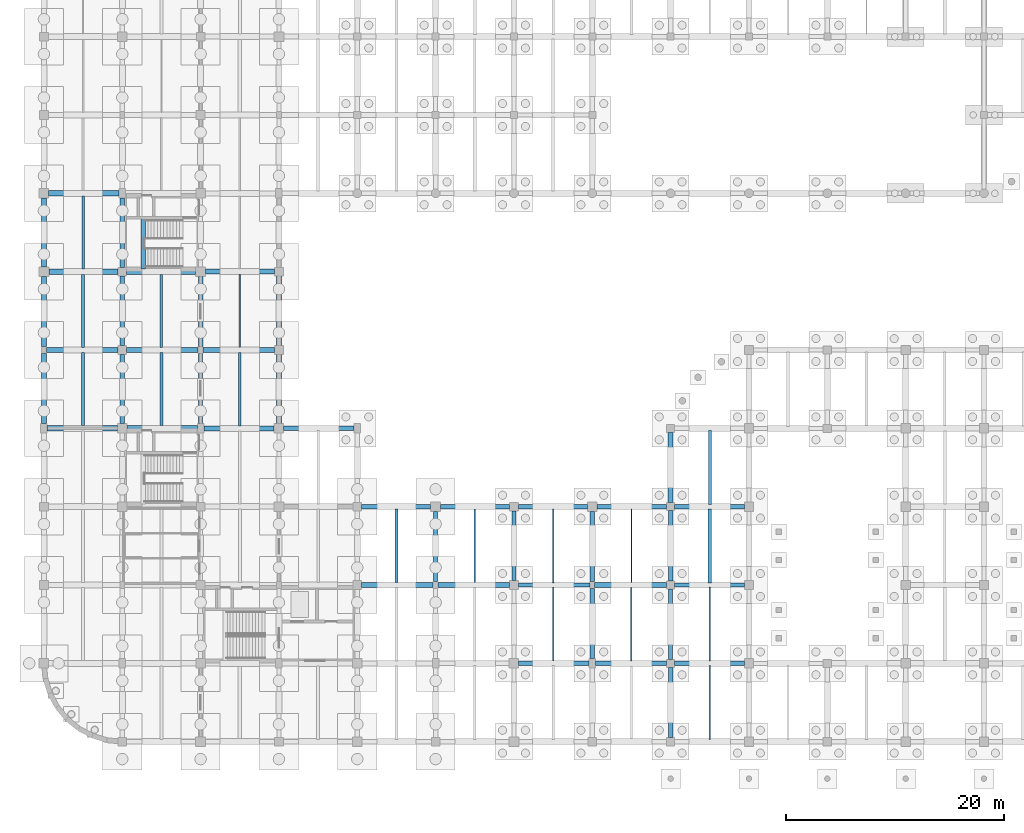
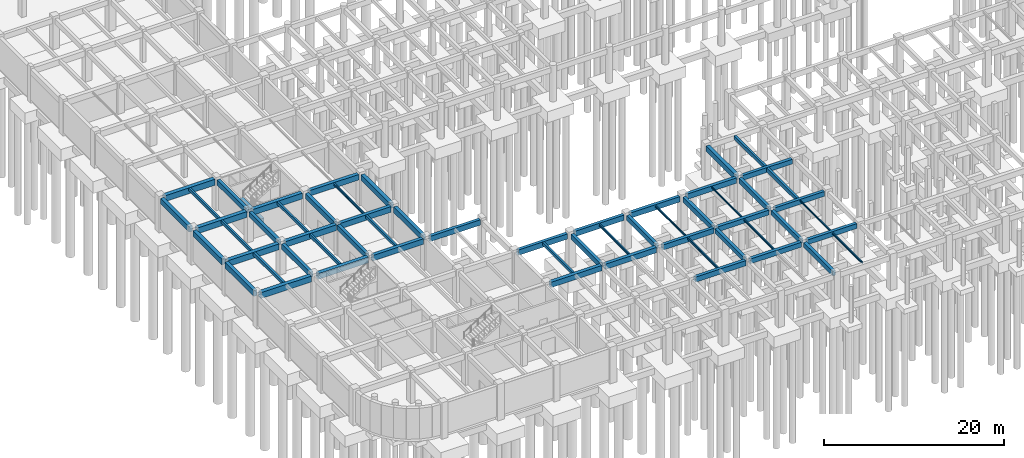
# One storey, part 25 of 47: 60 beams.
"""IFC4 building model written with IfcOpenShell, lengths in metres."""

from ifc_helpers import new_model, si_unit, direction, frame, origin, origin_2d, place, context, subcontext, project, spatial, rectangle, i_section, extrude, material, material_profile, profile_set, type_object, element, save


model = new_model("IFC4")

# Units and contexts
model_context = context("Model", 3, precision=1e-05, world=origin(), true_north=direction((0.0, 1.0)))
body_context = subcontext(model_context, "Body", "Model", "MODEL_VIEW")
ifc_project = project(units=[si_unit("LENGTHUNIT", "METRE"), si_unit("AREAUNIT", "SQUARE_METRE"), si_unit("VOLUMEUNIT", "CUBIC_METRE"), si_unit("PLANEANGLEUNIT", "RADIAN"), si_unit("MASSUNIT", "GRAM", prefix="KILO")], contexts=[model_context])

# Site, building, storey
site_placement = place(None, origin())
site = spatial("IfcSite", under=ifc_project, at=site_placement, CompositionType="ELEMENT")
building_placement = place(site_placement, origin())
building = spatial("IfcBuilding", under=site, at=building_placement, Name="Thalmaran Polytechnic", CompositionType="ELEMENT")
storey_placement = place(building_placement, frame((0.0, 0.0, -4.5)))
storey = spatial("IfcBuildingStorey", under=building, at=storey_placement, Name="B1", CompositionType="ELEMENT", Elevation=-4.5)

# Beams
ifc_material_1 = material(Name="Concrete C40/50", Category="concrete")
ifc_material_profile_1 = material_profile(ifc_material_1, rectangle(XDim=0.5, YDim=0.800048828125, at=origin_2d()), Name="RC 500x800")
ifc_profile_set_1 = profile_set([ifc_material_profile_1], Name="Concrete C40/50")
beam_type_1 = type_object("IfcBeamType", Name="BM-RC02", PredefinedType="BEAM", material=ifc_profile_set_1)
beam_1_placement = place(storey_placement, frame((0.300048828125, 28.800048828125, 3.77001953125), z_axis=(1.0, 0.0, 0.0), x_axis=(0.0, 1.0, 0.0)))
element("IfcBeam", 1, at=beam_1_placement, inside=storey, type_object=beam_type_1, Name="Grid Beam B02 B1 X(0,4)", PredefinedType="BEAM", context=body_context, shape_type="SweptSolid", body=[
    extrude(rectangle(XDim=0.5, YDim=0.800048828125, at=origin_2d()), origin(), (0.0, 0.0, 1.0), 6.4599609375),
])
beam_2_placement = place(storey_placement, frame((0.22509765625, 36.0, 3.77001953125), z_axis=(1.0, 0.0, 0.0), x_axis=(0.0, 1.0, 0.0)))
element("IfcBeam", 2, at=beam_2_placement, inside=storey, type_object=beam_type_1, Name="Grid Beam B02 B1 X(0,5)", PredefinedType="BEAM", context=body_context, shape_type="SweptSolid", body=[
    extrude(rectangle(XDim=0.5, YDim=0.800048828125, at=origin_2d()), origin(), (0.0, 0.0, 1.0), 6.56494140625),
])
beam_3_placement = place(storey_placement, frame((0.449951171875, 43.199951171875, 3.77001953125), z_axis=(1.0, 0.0, 0.0), x_axis=(0.0, 1.0, 0.0)))
element("IfcBeam", 3, at=beam_3_placement, inside=storey, type_object=beam_type_1, Name="Grid Beam B02 B1 X(0,6)", PredefinedType="BEAM", context=body_context, shape_type="SweptSolid", body=[
    extrude(rectangle(XDim=0.5, YDim=0.800048828125, at=origin_2d()), origin(), (0.0, 0.0, 1.0), 6.35009765625),
])
beam_4_placement = place(storey_placement, frame((0.43994140625, 50.39990234375, 3.77001953125), z_axis=(1.0, 0.0, 0.0), x_axis=(0.0, 1.0, 0.0)))
element("IfcBeam", 4, at=beam_4_placement, inside=storey, type_object=beam_type_1, Name="Grid Beam B02 B1 X(0,7)", PredefinedType="BEAM", context=body_context, shape_type="SweptSolid", body=[
    extrude(rectangle(XDim=0.5, YDim=0.800048828125, at=origin_2d()), origin(), (0.0, 0.0, 1.0), 6.4599609375),
])
ifc_material_profile_2 = material_profile(ifc_material_1, rectangle(XDim=0.449951171875, YDim=0.75, at=origin_2d()), Name="RC 450x750")
ifc_profile_set_2 = profile_set([ifc_material_profile_2], Name="Concrete C40/50")
beam_type_2 = type_object("IfcBeamType", Name="BM-RC03", PredefinedType="BEAM", material=ifc_profile_set_2)
beam_5_placement = place(storey_placement, frame((14.699951171875, 28.800048828125, 3.794921875), z_axis=(1.0, 0.0, 0.0), x_axis=(0.0, 1.0, 0.0)))
element("IfcBeam", 5, at=beam_5_placement, inside=storey, type_object=beam_type_2, Name="Grid Beam B03 B1 X(2,4)", PredefinedType="BEAM", context=body_context, shape_type="SweptSolid", body=[
    extrude(rectangle(XDim=0.449951171875, YDim=0.75, at=origin_2d()), origin(), (0.0, 0.0, 1.0), 6.4599609375),
])
beam_6_placement = place(storey_placement, frame((14.625, 36.0, 3.794921875), z_axis=(1.0, 0.0, 0.0), x_axis=(0.0, 1.0, 0.0)))
element("IfcBeam", 6, at=beam_6_placement, inside=storey, type_object=beam_type_2, Name="Grid Beam B03 B1 X(2,5)", PredefinedType="BEAM", context=body_context, shape_type="SweptSolid", body=[
    extrude(rectangle(XDim=0.449951171875, YDim=0.75, at=origin_2d()), origin(), (0.0, 0.0, 1.0), 6.56494140625),
])
beam_7_placement = place(storey_placement, frame((14.85009765625, 43.199951171875, 3.794921875), z_axis=(1.0, 0.0, 0.0), x_axis=(0.0, 1.0, 0.0)))
element("IfcBeam", 7, at=beam_7_placement, inside=storey, type_object=beam_type_2, Name="Grid Beam B03 B1 X(2,6)", PredefinedType="BEAM", context=body_context, shape_type="SweptSolid", body=[
    extrude(rectangle(XDim=0.449951171875, YDim=0.75, at=origin_2d()), origin(), (0.0, 0.0, 1.0), 6.349853515625),
])
ifc_material_profile_3 = material_profile(ifc_material_1, rectangle(XDim=0.449951171875, YDim=0.72509765625, at=origin_2d()), Name="RC 450x725")
ifc_profile_set_3 = profile_set([ifc_material_profile_3], Name="Concrete C40/50")
beam_type_3 = type_object("IfcBeamType", Name="BM-RC04", PredefinedType="BEAM", material=ifc_profile_set_3)
beam_8_placement = place(storey_placement, frame((29.2099609375, 14.39990234375, 3.8076171875), z_axis=(1.0, 0.0, 0.0), x_axis=(0.0, 1.0, 0.0)))
element("IfcBeam", 8, at=beam_8_placement, inside=storey, type_object=beam_type_3, Name="Grid Beam B04 B1 X(4,2)", PredefinedType="BEAM", context=body_context, shape_type="SweptSolid", body=[
    extrude(rectangle(XDim=0.449951171875, YDim=0.72509765625, at=origin_2d()), origin(), (0.0, 0.0, 1.0), 6.56494140625),
])
ifc_material_profile_4 = material_profile(ifc_material_1, rectangle(XDim=0.39990234375, YDim=0.699951171875, at=origin_2d()), Name="RC 400x700")
ifc_profile_set_4 = profile_set([ifc_material_profile_4], Name="Concrete C40/50")
beam_type_4 = type_object("IfcBeamType", Name="BM-RC05", PredefinedType="BEAM", material=ifc_profile_set_4)
beam_9_placement = place(storey_placement, frame((43.639892578125, 7.199951171875, 3.820068359375), z_axis=(1.0, 0.0, 0.0), x_axis=(0.0, 1.0, 0.0)))
element("IfcBeam", 9, at=beam_9_placement, inside=storey, type_object=beam_type_4, Name="Grid Beam B05 B1 X(6,1)", PredefinedType="BEAM", context=body_context, shape_type="SweptSolid", body=[
    extrude(rectangle(XDim=0.39990234375, YDim=0.699951171875, at=origin_2d()), origin(), (0.0, 0.0, 1.0), 6.460205078125),
])
beam_10_placement = place(storey_placement, frame((43.610107421875, 14.39990234375, 3.820068359375), z_axis=(1.0, 0.0, 0.0), x_axis=(0.0, 1.0, 0.0)))
element("IfcBeam", 10, at=beam_10_placement, inside=storey, type_object=beam_type_4, Name="Grid Beam B05 B1 X(6,2)", PredefinedType="BEAM", context=body_context, shape_type="SweptSolid", body=[
    extrude(rectangle(XDim=0.39990234375, YDim=0.699951171875, at=origin_2d()), origin(), (0.0, 0.0, 1.0), 6.56494140625),
])
ifc_material_profile_5 = material_profile(ifc_material_1, rectangle(XDim=0.39990234375, YDim=0.64990234375, at=origin_2d()), Name="RC 400x650")
ifc_profile_set_5 = profile_set([ifc_material_profile_5], Name="Concrete C40/50")
beam_type_5 = type_object("IfcBeamType", Name="BM-RC06", PredefinedType="BEAM", material=ifc_profile_set_5)
for number, where, z_axis, x_axis, name in (
    (11, (57.97509765625, 7.199951171875, 3.864990234375), (1.0, 0.0, 0.0), (0.0, 1.0, 0.0), "Grid Beam B06 B1 X(8,1)"),
    (12, (57.97509765625, 14.39990234375, 3.864990234375), (1.0, 0.0, 0.0), (0.0, 1.0, 0.0), "Grid Beam B06 B1 X(8,2)"),
    (13, (57.97509765625, 21.60009765625, 3.864990234375), (1.0, 0.0, 0.0), (0.0, 1.0, 0.0), "Grid Beam B06 B1 X(8,3)"),
):
    element("IfcBeam", number, at=place(storey_placement, frame(where, z_axis=z_axis, x_axis=x_axis)), inside=storey, type_object=beam_type_5, Name=name, PredefinedType="BEAM", context=body_context, shape_type="SweptSolid", body=[
        extrude(rectangle(XDim=0.39990234375, YDim=0.64990234375, at=origin_2d()), origin(), (0.0, 0.0, 1.0), 6.39990234375),
    ])
ifc_material_profile_6 = material_profile(ifc_material_1, rectangle(XDim=0.39990234375, YDim=0.6298828125, at=origin_2d()), Name="RC 400x630")
ifc_profile_set_6 = profile_set([ifc_material_profile_6], Name="Concrete C40/50")
beam_type_6 = type_object("IfcBeamType", Name="BM-RC07", PredefinedType="BEAM", material=ifc_profile_set_6)
beam_11_placement = place(storey_placement, frame((57.60009765625, 0.375, 3.85498046875), z_axis=(0.0, 1.0, 0.0), x_axis=(-1.0, 0.0, 0.0)))
element("IfcBeam", 14, at=beam_11_placement, inside=storey, type_object=beam_type_6, Name="Grid Beam B07 B1 Y(8,0)", PredefinedType="BEAM", context=body_context, shape_type="SweptSolid", body=[
    extrude(rectangle(XDim=0.39990234375, YDim=0.6298828125, at=origin_2d()), origin(), (0.0, 0.0, 1.0), 6.449951171875),
])
ifc_material_profile_7 = material_profile(ifc_material_1, rectangle(XDim=0.389892578125, YDim=0.68505859375, at=origin_2d()), Name="RC 390x685")
ifc_profile_set_7 = profile_set([ifc_material_profile_7], Name="Concrete C40/50")
beam_type_7 = type_object("IfcBeamType", Name="BM-RC08", PredefinedType="BEAM", material=ifc_profile_set_7)
beam_12_placement = place(storey_placement, frame((36.0, 14.72509765625, 3.827392578125), z_axis=(0.0, 1.0, 0.0), x_axis=(-1.0, 0.0, 0.0)))
element("IfcBeam", 15, at=beam_12_placement, inside=storey, type_object=beam_type_7, Name="Grid Beam B08 B1 Y(5,2)", PredefinedType="BEAM", context=body_context, shape_type="SweptSolid", body=[
    extrude(rectangle(XDim=0.389892578125, YDim=0.68505859375, at=origin_2d()), origin(), (0.0, 0.0, 1.0), 6.4248046875),
])
beam_13_placement = place(storey_placement, frame((43.199951171875, 14.81005859375, 3.827392578125), z_axis=(0.0, 1.0, 0.0), x_axis=(-1.0, 0.0, 0.0)))
element("IfcBeam", 16, at=beam_13_placement, inside=storey, type_object=beam_type_7, Name="Grid Beam B08 B1 Y(6,2)", PredefinedType="BEAM", context=body_context, shape_type="SweptSolid", body=[
    extrude(rectangle(XDim=0.389892578125, YDim=0.68505859375, at=origin_2d()), origin(), (0.0, 0.0, 1.0), 6.389892578125),
])
beam_14_placement = place(storey_placement, frame((50.39990234375, 14.72509765625, 3.827392578125), z_axis=(0.0, 1.0, 0.0), x_axis=(-1.0, 0.0, 0.0)))
element("IfcBeam", 17, at=beam_14_placement, inside=storey, type_object=beam_type_7, Name="Grid Beam B08 B1 Y(7,2)", PredefinedType="BEAM", context=body_context, shape_type="SweptSolid", body=[
    extrude(rectangle(XDim=0.389892578125, YDim=0.68505859375, at=origin_2d()), origin(), (0.0, 0.0, 1.0), 6.4248046875),
])
beam_15_placement = place(storey_placement, frame((57.60009765625, 14.77490234375, 3.827392578125), z_axis=(0.0, 1.0, 0.0), x_axis=(-1.0, 0.0, 0.0)))
element("IfcBeam", 18, at=beam_15_placement, inside=storey, type_object=beam_type_7, Name="Grid Beam B08 B1 Y(8,2)", PredefinedType="BEAM", context=body_context, shape_type="SweptSolid", body=[
    extrude(rectangle(XDim=0.389892578125, YDim=0.68505859375, at=origin_2d()), origin(), (0.0, 0.0, 1.0), 6.4501953125),
])
ifc_material_profile_8 = material_profile(ifc_material_1, rectangle(XDim=0.389892578125, YDim=0.68994140625, at=origin_2d()), Name="RC 390x690")
ifc_profile_set_8 = profile_set([ifc_material_profile_8], Name="Concrete C40/50")
beam_type_8 = type_object("IfcBeamType", Name="BM-RC09", PredefinedType="BEAM", material=ifc_profile_set_8)
beam_16_placement = place(storey_placement, frame((7.199951171875, 29.239990234375, 3.824951171875), z_axis=(0.0, 1.0, 0.0), x_axis=(-1.0, 0.0, 0.0)))
element("IfcBeam", 19, at=beam_16_placement, inside=storey, type_object=beam_type_8, Name="Grid Beam B09 B1 Y(1,4)", PredefinedType="BEAM", context=body_context, shape_type="SweptSolid", body=[
    extrude(rectangle(XDim=0.389892578125, YDim=0.68994140625, at=origin_2d()), origin(), (0.0, 0.0, 1.0), 6.35009765625),
])
beam_17_placement = place(storey_placement, frame((14.39990234375, 29.25, 3.824951171875), z_axis=(0.0, 1.0, 0.0), x_axis=(-1.0, 0.0, 0.0)))
element("IfcBeam", 20, at=beam_17_placement, inside=storey, type_object=beam_type_8, Name="Grid Beam B09 B1 Y(2,4)", PredefinedType="BEAM", context=body_context, shape_type="SweptSolid", body=[
    extrude(rectangle(XDim=0.389892578125, YDim=0.68994140625, at=origin_2d()), origin(), (0.0, 0.0, 1.0), 6.425048828125),
])
ifc_material_profile_9 = material_profile(ifc_material_1, rectangle(XDim=0.389892578125, YDim=0.695068359375, at=origin_2d()), Name="RC 390x695")
ifc_profile_set_9 = profile_set([ifc_material_profile_9], Name="Concrete C40/50")
beam_type_9 = type_object("IfcBeamType", Name="BM-RC10", PredefinedType="BEAM", material=ifc_profile_set_9)
beam_18_placement = place(storey_placement, frame((7.199951171875, 43.60009765625, 3.822509765625), z_axis=(0.0, 1.0, 0.0), x_axis=(-1.0, 0.0, 0.0)))
element("IfcBeam", 21, at=beam_18_placement, inside=storey, type_object=beam_type_9, Name="Grid Beam B10 B1 Y(1,6)", PredefinedType="BEAM", context=body_context, shape_type="SweptSolid", body=[
    extrude(rectangle(XDim=0.389892578125, YDim=0.695068359375, at=origin_2d()), origin(), (0.0, 0.0, 1.0), 6.349853515625),
])
beam_19_placement = place(storey_placement, frame((9.1201171875, 43.43994140625, 1.7900390625), z_axis=(0.0, 1.0, 0.0), x_axis=(-1.0, 0.0, 0.0)))
element("IfcBeam", 22, at=beam_19_placement, inside=storey, type_object=beam_type_9, Name="ST4 B1 Half-Landing Trimmer Beam", PredefinedType="BEAM", context=body_context, shape_type="SweptSolid", body=[
    extrude(rectangle(XDim=0.389892578125, YDim=0.695068359375, at=origin_2d()), origin(), (0.0, 0.0, 1.0), 4.699951171875),
])
ifc_material_profile_10 = material_profile(ifc_material_1, rectangle(XDim=0.300048828125, YDim=0.5, at=origin_2d()), Name="RC 300x500")
ifc_profile_set_10 = profile_set([ifc_material_profile_10], Name="Concrete C40/50")
beam_type_10 = type_object("IfcBeamType", Name="BM-RC11", PredefinedType="JOIST", material=ifc_profile_set_10)
beam_20_placement = place(storey_placement, frame((61.199951171875, 14.60009765625, 3.93994140625), z_axis=(0.0, 1.0, 0.0), x_axis=(-1.0, 0.0, 0.0)))
element("IfcBeam", 23, at=beam_20_placement, inside=storey, type_object=beam_type_10, Name="Secondary Floor Rib RB01 B1 (8,2)", PredefinedType="JOIST", context=body_context, shape_type="SweptSolid", body=[
    extrude(rectangle(XDim=0.300048828125, YDim=0.5, at=origin_2d()), origin(), (0.0, 0.0, 1.0), 6.7998046875),
])
ifc_material_profile_11 = material_profile(ifc_material_1, rectangle(XDim=0.280029296875, YDim=0.449951171875, at=origin_2d()), Name="RC 280x450")
ifc_profile_set_11 = profile_set([ifc_material_profile_11], Name="Concrete C40/50")
beam_type_11 = type_object("IfcBeamType", Name="BM-RC13", PredefinedType="JOIST", material=ifc_profile_set_11)
beam_21_placement = place(storey_placement, frame((3.60009765625, 29.050048828125, 3.945068359375), z_axis=(0.0, 1.0, 0.0), x_axis=(-1.0, 0.0, 0.0)))
element("IfcBeam", 24, at=beam_21_placement, inside=storey, type_object=beam_type_11, Name="Secondary Floor Rib RB03 B1 (0,4)", PredefinedType="JOIST", context=body_context, shape_type="SweptSolid", body=[
    extrude(rectangle(XDim=0.280029296875, YDim=0.449951171875, at=origin_2d()), origin(), (0.0, 0.0, 1.0), 6.699951171875),
])
ifc_material_2 = material(Name="Steel S355", Category="steel")
ifc_material_profile_12 = material_profile(ifc_material_2, i_section(OverallWidth=0.159912109375, OverallDepth=0.330078125, WebThickness=0.007568359375, FlangeThickness=0.011474609375, at=origin_2d()), Name="IPE 330")
ifc_profile_set_12 = profile_set([ifc_material_profile_12], Name="Steel S355")
beam_type_12 = type_object("IfcBeamType", Name="BM-SJ02", PredefinedType="JOIST", material=ifc_profile_set_12)
beam_22_placement = place(storey_placement, frame((18.0, 36.22509765625, 4.0048828125), z_axis=(0.0, 1.0, 0.0), x_axis=(-1.0, 0.0, 0.0)))
element("IfcBeam", 25, at=beam_22_placement, inside=storey, type_object=beam_type_12, Name="Secondary Floor Rib SJ02 B1 (2,5)", PredefinedType="JOIST", context=body_context, shape_type="SweptSolid", body=[
    extrude(i_section(OverallWidth=0.159912109375, OverallDepth=0.330078125, WebThickness=0.007568359375, FlangeThickness=0.011474609375, at=origin_2d()), origin(), (0.0, 0.0, 1.0), 6.75),
])
beam_23_placement = place(storey_placement, frame((39.60009765625, 14.6201171875, 4.0048828125), z_axis=(0.0, 1.0, 0.0), x_axis=(-1.0, 0.0, 0.0)))
element("IfcBeam", 26, at=beam_23_placement, inside=storey, type_object=beam_type_12, Name="Secondary Floor Rib SJ02 B1 (5,2)", PredefinedType="JOIST", context=body_context, shape_type="SweptSolid", body=[
    extrude(i_section(OverallWidth=0.159912109375, OverallDepth=0.330078125, WebThickness=0.007568359375, FlangeThickness=0.011474609375, at=origin_2d()), origin(), (0.0, 0.0, 1.0), 6.77978515625),
])
beam_24_placement = place(storey_placement, frame((46.800048828125, 7.39990234375, 4.0048828125), z_axis=(0.0, 1.0, 0.0), x_axis=(-1.0, 0.0, 0.0)))
element("IfcBeam", 27, at=beam_24_placement, inside=storey, type_object=beam_type_12, Name="Secondary Floor Rib SJ02 B1 (6,1)", PredefinedType="JOIST", context=body_context, shape_type="SweptSolid", body=[
    extrude(i_section(OverallWidth=0.159912109375, OverallDepth=0.330078125, WebThickness=0.007568359375, FlangeThickness=0.011474609375, at=origin_2d()), origin(), (0.0, 0.0, 1.0), 6.800048828125),
])
ifc_material_profile_13 = material_profile(ifc_material_2, i_section(OverallWidth=0.135009765625, OverallDepth=0.27001953125, WebThickness=0.006591796875, FlangeThickness=0.01025390625, at=origin_2d()), Name="IPE 270")
ifc_profile_set_13 = profile_set([ifc_material_profile_13], Name="Steel S355")
beam_type_13 = type_object("IfcBeamType", Name="BM-SJ03", PredefinedType="JOIST", material=ifc_profile_set_13)
beam_25_placement = place(storey_placement, frame((46.800048828125, 14.60009765625, 4.034912109375), z_axis=(0.0, 1.0, 0.0), x_axis=(-1.0, 0.0, 0.0)))
element("IfcBeam", 28, at=beam_25_placement, inside=storey, type_object=beam_type_13, Name="Secondary Floor Rib SJ03 B1 (6,2)", PredefinedType="JOIST", context=body_context, shape_type="SweptSolid", body=[
    extrude(i_section(OverallWidth=0.135009765625, OverallDepth=0.27001953125, WebThickness=0.006591796875, FlangeThickness=0.01025390625, at=origin_2d()), origin(), (0.0, 0.0, 1.0), 6.7998046875),
])
beam_26_placement = place(storey_placement, frame((54.0, 7.409912109375, 4.034912109375), z_axis=(0.0, 1.0, 0.0), x_axis=(-1.0, 0.0, 0.0)))
element("IfcBeam", 29, at=beam_26_placement, inside=storey, type_object=beam_type_13, Name="Secondary Floor Rib SJ03 B1 (7,1)", PredefinedType="JOIST", context=body_context, shape_type="SweptSolid", body=[
    extrude(i_section(OverallWidth=0.135009765625, OverallDepth=0.27001953125, WebThickness=0.006591796875, FlangeThickness=0.01025390625, at=origin_2d()), origin(), (0.0, 0.0, 1.0), 6.780029296875),
])
beam_27_placement = place(storey_placement, frame((61.199951171875, 0.199951171875, 4.054931640625), z_axis=(0.0, 1.0, 0.0), x_axis=(-1.0, 0.0, 0.0)))
element("IfcBeam", 30, at=beam_27_placement, inside=storey, type_object=beam_type_13, Name="Secondary Floor Rib SJ03 B1 (8,0)", PredefinedType="JOIST", context=body_context, shape_type="SweptSolid", body=[
    extrude(i_section(OverallWidth=0.135009765625, OverallDepth=0.27001953125, WebThickness=0.006591796875, FlangeThickness=0.01025390625, at=origin_2d()), origin(), (0.0, 0.0, 1.0), 6.800048828125),
])
ifc_material_profile_14 = material_profile(ifc_material_2, i_section(OverallWidth=0.110107421875, OverallDepth=0.219970703125, WebThickness=0.005859375, FlangeThickness=0.00927734375, at=origin_2d()), Name="IPE 220")
ifc_profile_set_14 = profile_set([ifc_material_profile_14], Name="Steel S355")
beam_type_14 = type_object("IfcBeamType", Name="BM-SJ04", PredefinedType="JOIST", material=ifc_profile_set_14)
beam_28_placement = place(storey_placement, frame((54.0, 14.610107421875, 4.06005859375), z_axis=(0.0, 1.0, 0.0), x_axis=(-1.0, 0.0, 0.0)))
element("IfcBeam", 31, at=beam_28_placement, inside=storey, type_object=beam_type_14, Name="Secondary Floor Rib SJ04 B1 (7,2)", PredefinedType="JOIST", context=body_context, shape_type="SweptSolid", body=[
    extrude(i_section(OverallWidth=0.110107421875, OverallDepth=0.219970703125, WebThickness=0.005859375, FlangeThickness=0.00927734375, at=origin_2d()), origin(), (0.0, 0.0, 1.0), 6.789794921875),
])
beam_29_placement = place(storey_placement, frame((61.199951171875, 7.39990234375, 4.080078125), z_axis=(0.0, 1.0, 0.0), x_axis=(-1.0, 0.0, 0.0)))
element("IfcBeam", 32, at=beam_29_placement, inside=storey, type_object=beam_type_14, Name="Secondary Floor Rib SJ04 B1 (8,1)", PredefinedType="JOIST", context=body_context, shape_type="SweptSolid", body=[
    extrude(i_section(OverallWidth=0.110107421875, OverallDepth=0.219970703125, WebThickness=0.005859375, FlangeThickness=0.00927734375, at=origin_2d()), origin(), (0.0, 0.0, 1.0), 6.800048828125),
])
ifc_material_profile_15 = material_profile(ifc_material_1, rectangle(XDim=0.39990234375, YDim=0.719970703125, at=origin_2d()), Name="RC 400x720")
ifc_profile_set_15 = profile_set([ifc_material_profile_15], Name="Concrete C40/50")
beam_type_15 = type_object("IfcBeamType", Name="BM-SP01", PredefinedType="SPANDREL", material=ifc_profile_set_15)
beam_30_placement = place(storey_placement, frame((22.0400390625, 28.800048828125, 3.81005859375), z_axis=(1.0, 0.0, 0.0), x_axis=(0.0, 1.0, 0.0)))
element("IfcBeam", 33, at=beam_30_placement, inside=storey, type_object=beam_type_15, Name="Grid Beam SP01 B1 X(3,4)", PredefinedType="SPANDREL", context=body_context, shape_type="SweptSolid", body=[
    extrude(rectangle(XDim=0.39990234375, YDim=0.719970703125, at=origin_2d()), origin(), (0.0, 0.0, 1.0), 6.4599609375),
])
for number, where, z_axis, x_axis, name in (
    (34, (29.199951171875, 21.60009765625, 3.81005859375), (1.0, 0.0, 0.0), (0.0, 1.0, 0.0), "Grid Beam SP01 B1 X(4,3)"),
    (35, (36.449951171875, 21.60009765625, 3.81005859375), (1.0, 0.0, 0.0), (0.0, 1.0, 0.0), "Grid Beam SP01 B1 X(5,3)"),
):
    element("IfcBeam", number, at=place(storey_placement, frame(where, z_axis=z_axis, x_axis=x_axis)), inside=storey, type_object=beam_type_15, Name=name, PredefinedType="SPANDREL", context=body_context, shape_type="SweptSolid", body=[
        extrude(rectangle(XDim=0.39990234375, YDim=0.719970703125, at=origin_2d()), origin(), (0.0, 0.0, 1.0), 6.35009765625),
    ])
beam_31_placement = place(storey_placement, frame((43.60009765625, 21.60009765625, 3.81005859375), z_axis=(1.0, 0.0, 0.0), x_axis=(0.0, 1.0, 0.0)))
element("IfcBeam", 36, at=beam_31_placement, inside=storey, type_object=beam_type_15, Name="Grid Beam SP01 B1 X(6,3)", PredefinedType="SPANDREL", context=body_context, shape_type="SweptSolid", body=[
    extrude(rectangle(XDim=0.39990234375, YDim=0.719970703125, at=origin_2d()), origin(), (0.0, 0.0, 1.0), 6.349853515625),
])
beam_32_placement = place(storey_placement, frame((50.85009765625, 21.60009765625, 3.81005859375), z_axis=(1.0, 0.0, 0.0), x_axis=(0.0, 1.0, 0.0)))
element("IfcBeam", 37, at=beam_32_placement, inside=storey, type_object=beam_type_15, Name="Grid Beam SP01 B1 X(7,3)", PredefinedType="SPANDREL", context=body_context, shape_type="SweptSolid", body=[
    extrude(rectangle(XDim=0.39990234375, YDim=0.719970703125, at=origin_2d()), origin(), (0.0, 0.0, 1.0), 6.375),
])
ifc_material_profile_16 = material_profile(ifc_material_1, rectangle(XDim=0.449951171875, YDim=0.7548828125, at=origin_2d()), Name="RC 450x755")
ifc_profile_set_16 = profile_set([ifc_material_profile_16], Name="Concrete C40/50")
beam_type_16 = type_object("IfcBeamType", Name="BM-SP02", PredefinedType="SPANDREL", material=ifc_profile_set_16)
for number, where, z_axis, x_axis, name in (
    (38, (0.0, 29.25, 3.79248046875), (0.0, 1.0, 0.0), (-1.0, 0.0, 0.0), "Grid Beam SP02 B1 Y(0,4)"),
    (39, (0.0, 36.324951171875, 3.79248046875), (0.0, 1.0, 0.0), (-1.0, 0.0, 0.0), "Grid Beam SP02 B1 Y(0,5)"),
):
    element("IfcBeam", number, at=place(storey_placement, frame(where, z_axis=z_axis, x_axis=x_axis)), inside=storey, type_object=beam_type_16, Name=name, PredefinedType="SPANDREL", context=body_context, shape_type="SweptSolid", body=[
        extrude(rectangle(XDim=0.449951171875, YDim=0.7548828125, at=origin_2d()), origin(), (0.0, 0.0, 1.0), 6.425048828125),
    ])
beam_33_placement = place(storey_placement, frame((0.0, 43.64990234375, 3.79248046875), z_axis=(0.0, 1.0, 0.0), x_axis=(-1.0, 0.0, 0.0)))
element("IfcBeam", 40, at=beam_33_placement, inside=storey, type_object=beam_type_16, Name="Grid Beam SP02 B1 Y(0,6)", PredefinedType="SPANDREL", context=body_context, shape_type="SweptSolid", body=[
    extrude(rectangle(XDim=0.449951171875, YDim=0.7548828125, at=origin_2d()), origin(), (0.0, 0.0, 1.0), 6.31005859375),
])
beam_34_placement = place(storey_placement, frame((21.60009765625, 29.239990234375, 3.79248046875), z_axis=(0.0, 1.0, 0.0), x_axis=(-1.0, 0.0, 0.0)))
element("IfcBeam", 41, at=beam_34_placement, inside=storey, type_object=beam_type_16, Name="Grid Beam SP02 B1 Y(3,4)", PredefinedType="SPANDREL", context=body_context, shape_type="SweptSolid", body=[
    extrude(rectangle(XDim=0.449951171875, YDim=0.7548828125, at=origin_2d()), origin(), (0.0, 0.0, 1.0), 6.35009765625),
])
beam_35_placement = place(storey_placement, frame((21.60009765625, 36.409912109375, 3.79248046875), z_axis=(0.0, 1.0, 0.0), x_axis=(-1.0, 0.0, 0.0)))
element("IfcBeam", 42, at=beam_35_placement, inside=storey, type_object=beam_type_16, Name="Grid Beam SP02 B1 Y(3,5)", PredefinedType="SPANDREL", context=body_context, shape_type="SweptSolid", body=[
    extrude(rectangle(XDim=0.449951171875, YDim=0.7548828125, at=origin_2d()), origin(), (0.0, 0.0, 1.0), 6.39013671875),
])
beam_36_placement = place(storey_placement, frame((57.60009765625, 21.97509765625, 3.8125), z_axis=(0.0, 1.0, 0.0), x_axis=(-1.0, 0.0, 0.0)))
element("IfcBeam", 43, at=beam_36_placement, inside=storey, type_object=beam_type_16, Name="Grid Beam SP02 B1 Y(8,3)", PredefinedType="SPANDREL", context=body_context, shape_type="SweptSolid", body=[
    extrude(rectangle(XDim=0.449951171875, YDim=0.7548828125, at=origin_2d()), origin(), (0.0, 0.0, 1.0), 6.449951171875),
])
ifc_material_profile_17 = material_profile(ifc_material_1, rectangle(XDim=0.47998046875, YDim=0.780029296875, at=origin_2d()), Name="RC 480x780")
ifc_profile_set_17 = profile_set([ifc_material_profile_17], Name="Concrete C40/50")
beam_type_17 = type_object("IfcBeamType", Name="BM-ZB01", PredefinedType="BEAM", material=ifc_profile_set_17)
beam_37_placement = place(storey_placement, frame((7.639892578125, 28.800048828125, 3.780029296875), z_axis=(1.0, 0.0, 0.0), x_axis=(0.0, 1.0, 0.0)))
element("IfcBeam", 44, at=beam_37_placement, inside=storey, type_object=beam_type_17, Name="Grid Beam ZB01 B1 X(1,4)", PredefinedType="BEAM", context=body_context, shape_type="SweptSolid", body=[
    extrude(rectangle(XDim=0.47998046875, YDim=0.780029296875, at=origin_2d()), origin(), (0.0, 0.0, 1.0), 6.460205078125),
])
beam_38_placement = place(storey_placement, frame((7.610107421875, 36.0, 3.780029296875), z_axis=(1.0, 0.0, 0.0), x_axis=(0.0, 1.0, 0.0)))
element("IfcBeam", 45, at=beam_38_placement, inside=storey, type_object=beam_type_17, Name="Grid Beam ZB01 B1 X(1,5)", PredefinedType="BEAM", context=body_context, shape_type="SweptSolid", body=[
    extrude(rectangle(XDim=0.47998046875, YDim=0.780029296875, at=origin_2d()), origin(), (0.0, 0.0, 1.0), 6.56494140625),
])
beam_39_placement = place(storey_placement, frame((7.60009765625, 43.199951171875, 3.780029296875), z_axis=(1.0, 0.0, 0.0), x_axis=(0.0, 1.0, 0.0)))
element("IfcBeam", 46, at=beam_39_placement, inside=storey, type_object=beam_type_17, Name="Grid Beam ZB01 B1 X(1,6)", PredefinedType="BEAM", context=body_context, shape_type="SweptSolid", body=[
    extrude(rectangle(XDim=0.47998046875, YDim=0.780029296875, at=origin_2d()), origin(), (0.0, 0.0, 1.0), 6.349853515625),
])
ifc_material_profile_18 = material_profile(ifc_material_1, rectangle(XDim=0.43994140625, YDim=0.719970703125, at=origin_2d()), Name="RC 440x720")
ifc_profile_set_18 = profile_set([ifc_material_profile_18], Name="Concrete C40/50")
beam_type_18 = type_object("IfcBeamType", Name="BM-ZB03", PredefinedType="BEAM", material=ifc_profile_set_18)
beam_40_placement = place(storey_placement, frame((36.22509765625, 14.39990234375, 3.81005859375), z_axis=(1.0, 0.0, 0.0), x_axis=(0.0, 1.0, 0.0)))
element("IfcBeam", 47, at=beam_40_placement, inside=storey, type_object=beam_type_18, Name="Grid Beam ZB03 B1 X(5,2)", PredefinedType="BEAM", context=body_context, shape_type="SweptSolid", body=[
    extrude(rectangle(XDim=0.43994140625, YDim=0.719970703125, at=origin_2d()), origin(), (0.0, 0.0, 1.0), 6.56494140625),
])
ifc_material_profile_19 = material_profile(ifc_material_1, rectangle(XDim=0.419921875, YDim=0.659912109375, at=origin_2d()), Name="RC 420x660")
ifc_profile_set_19 = profile_set([ifc_material_profile_19], Name="Concrete C40/50")
beam_type_19 = type_object("IfcBeamType", Name="BM-ZB04", PredefinedType="BEAM", material=ifc_profile_set_19)
beam_41_placement = place(storey_placement, frame((50.699951171875, 7.199951171875, 3.840087890625), z_axis=(1.0, 0.0, 0.0), x_axis=(0.0, 1.0, 0.0)))
element("IfcBeam", 48, at=beam_41_placement, inside=storey, type_object=beam_type_19, Name="Grid Beam ZB04 B1 X(7,1)", PredefinedType="BEAM", context=body_context, shape_type="SweptSolid", body=[
    extrude(rectangle(XDim=0.419921875, YDim=0.659912109375, at=origin_2d()), origin(), (0.0, 0.0, 1.0), 6.525146484375),
])
beam_42_placement = place(storey_placement, frame((50.625, 14.39990234375, 3.840087890625), z_axis=(1.0, 0.0, 0.0), x_axis=(0.0, 1.0, 0.0)))
element("IfcBeam", 49, at=beam_42_placement, inside=storey, type_object=beam_type_19, Name="Grid Beam ZB04 B1 X(7,2)", PredefinedType="BEAM", context=body_context, shape_type="SweptSolid", body=[
    extrude(rectangle(XDim=0.419921875, YDim=0.659912109375, at=origin_2d()), origin(), (0.0, 0.0, 1.0), 6.60009765625),
])
ifc_material_profile_20 = material_profile(ifc_material_1, rectangle(XDim=0.3798828125, YDim=0.635009765625, at=origin_2d()), Name="RC 380x635")
ifc_profile_set_20 = profile_set([ifc_material_profile_20], Name="Concrete C40/50")
beam_type_20 = type_object("IfcBeamType", Name="BM-ZB06", PredefinedType="BEAM", material=ifc_profile_set_20)
beam_43_placement = place(storey_placement, frame((50.39990234375, 7.64990234375, 3.8525390625), z_axis=(0.0, 1.0, 0.0), x_axis=(-1.0, 0.0, 0.0)))
element("IfcBeam", 50, at=beam_43_placement, inside=storey, type_object=beam_type_20, Name="Grid Beam ZB06 B1 Y(7,1)", PredefinedType="BEAM", context=body_context, shape_type="SweptSolid", body=[
    extrude(rectangle(XDim=0.3798828125, YDim=0.635009765625, at=origin_2d()), origin(), (0.0, 0.0, 1.0), 6.425048828125),
])
beam_44_placement = place(storey_placement, frame((57.60009765625, 7.574951171875, 3.8525390625), z_axis=(0.0, 1.0, 0.0), x_axis=(-1.0, 0.0, 0.0)))
element("IfcBeam", 51, at=beam_44_placement, inside=storey, type_object=beam_type_20, Name="Grid Beam ZB06 B1 Y(8,1)", PredefinedType="BEAM", context=body_context, shape_type="SweptSolid", body=[
    extrude(rectangle(XDim=0.3798828125, YDim=0.635009765625, at=origin_2d()), origin(), (0.0, 0.0, 1.0), 6.449951171875),
])
ifc_material_profile_21 = material_profile(ifc_material_1, rectangle(XDim=0.39990234375, YDim=0.695068359375, at=origin_2d()), Name="RC 400x695")
ifc_profile_set_21 = profile_set([ifc_material_profile_21], Name="Concrete C40/50")
beam_type_21 = type_object("IfcBeamType", Name="BM-ZB08", PredefinedType="BEAM", material=ifc_profile_set_21)
beam_45_placement = place(storey_placement, frame((7.199951171875, 36.409912109375, 3.822509765625), z_axis=(0.0, 1.0, 0.0), x_axis=(-1.0, 0.0, 0.0)))
element("IfcBeam", 52, at=beam_45_placement, inside=storey, type_object=beam_type_21, Name="Grid Beam ZB08 B1 Y(1,5)", PredefinedType="BEAM", context=body_context, shape_type="SweptSolid", body=[
    extrude(rectangle(XDim=0.39990234375, YDim=0.695068359375, at=origin_2d()), origin(), (0.0, 0.0, 1.0), 6.39013671875),
])
beam_46_placement = place(storey_placement, frame((14.39990234375, 36.324951171875, 3.822509765625), z_axis=(0.0, 1.0, 0.0), x_axis=(-1.0, 0.0, 0.0)))
element("IfcBeam", 53, at=beam_46_placement, inside=storey, type_object=beam_type_21, Name="Grid Beam ZB08 B1 Y(2,5)", PredefinedType="BEAM", context=body_context, shape_type="SweptSolid", body=[
    extrude(rectangle(XDim=0.39990234375, YDim=0.695068359375, at=origin_2d()), origin(), (0.0, 0.0, 1.0), 6.425048828125),
])
ifc_material_profile_22 = material_profile(ifc_material_1, rectangle(XDim=0.280029296875, YDim=0.47998046875, at=origin_2d()), Name="RC 280x480")
ifc_profile_set_22 = profile_set([ifc_material_profile_22], Name="Concrete C40/50")
beam_type_22 = type_object("IfcBeamType", Name="BM-ZJ01", PredefinedType="JOIST", material=ifc_profile_set_22)
beam_47_placement = place(storey_placement, frame((61.199951171875, 21.800048828125, 3.949951171875), z_axis=(0.0, 1.0, 0.0), x_axis=(-1.0, 0.0, 0.0)))
element("IfcBeam", 54, at=beam_47_placement, inside=storey, type_object=beam_type_22, Name="Secondary Floor Rib ZJ01 B1 (8,3)", PredefinedType="JOIST", context=body_context, shape_type="SweptSolid", body=[
    extrude(rectangle(XDim=0.280029296875, YDim=0.47998046875, at=origin_2d()), origin(), (0.0, 0.0, 1.0), 6.800048828125),
])
ifc_material_profile_23 = material_profile(ifc_material_1, rectangle(XDim=0.25, YDim=0.419921875, at=origin_2d()), Name="RC 250x420")
ifc_profile_set_23 = profile_set([ifc_material_profile_23], Name="Concrete C40/50")
beam_type_23 = type_object("IfcBeamType", Name="BM-ZJ03", PredefinedType="JOIST", material=ifc_profile_set_23)
beam_48_placement = place(storey_placement, frame((3.60009765625, 36.25, 3.9599609375), z_axis=(0.0, 1.0, 0.0), x_axis=(-1.0, 0.0, 0.0)))
element("IfcBeam", 55, at=beam_48_placement, inside=storey, type_object=beam_type_23, Name="Secondary Floor Rib ZJ03 B1 (0,5)", PredefinedType="JOIST", context=body_context, shape_type="SweptSolid", body=[
    extrude(rectangle(XDim=0.25, YDim=0.419921875, at=origin_2d()), origin(), (0.0, 0.0, 1.0), 6.699951171875),
])
beam_49_placement = place(storey_placement, frame((10.800048828125, 29.0400390625, 3.9599609375), z_axis=(0.0, 1.0, 0.0), x_axis=(-1.0, 0.0, 0.0)))
element("IfcBeam", 56, at=beam_49_placement, inside=storey, type_object=beam_type_23, Name="Secondary Floor Rib ZJ03 B1 (1,4)", PredefinedType="JOIST", context=body_context, shape_type="SweptSolid", body=[
    extrude(rectangle(XDim=0.25, YDim=0.419921875, at=origin_2d()), origin(), (0.0, 0.0, 1.0), 6.719970703125),
])
ifc_material_profile_24 = material_profile(ifc_material_1, rectangle(XDim=0.239990234375, YDim=0.39990234375, at=origin_2d()), Name="RC 240x400")
ifc_profile_set_24 = profile_set([ifc_material_profile_24], Name="Concrete C40/50")
beam_type_24 = type_object("IfcBeamType", Name="BM-ZJ04", PredefinedType="JOIST", material=ifc_profile_set_24)
beam_50_placement = place(storey_placement, frame((3.60009765625, 43.449951171875, 3.969970703125), z_axis=(0.0, 1.0, 0.0), x_axis=(-1.0, 0.0, 0.0)))
element("IfcBeam", 57, at=beam_50_placement, inside=storey, type_object=beam_type_24, Name="Secondary Floor Rib ZJ04 B1 (0,6)", PredefinedType="JOIST", context=body_context, shape_type="SweptSolid", body=[
    extrude(rectangle(XDim=0.239990234375, YDim=0.39990234375, at=origin_2d()), origin(), (0.0, 0.0, 1.0), 6.699951171875),
])
beam_51_placement = place(storey_placement, frame((10.800048828125, 36.239990234375, 3.969970703125), z_axis=(0.0, 1.0, 0.0), x_axis=(-1.0, 0.0, 0.0)))
element("IfcBeam", 58, at=beam_51_placement, inside=storey, type_object=beam_type_24, Name="Secondary Floor Rib ZJ04 B1 (1,5)", PredefinedType="JOIST", context=body_context, shape_type="SweptSolid", body=[
    extrude(rectangle(XDim=0.239990234375, YDim=0.39990234375, at=origin_2d()), origin(), (0.0, 0.0, 1.0), 6.719970703125),
])
beam_52_placement = place(storey_placement, frame((18.0, 29.02490234375, 3.969970703125), z_axis=(0.0, 1.0, 0.0), x_axis=(-1.0, 0.0, 0.0)))
element("IfcBeam", 59, at=beam_52_placement, inside=storey, type_object=beam_type_24, Name="Secondary Floor Rib ZJ04 B1 (2,4)", PredefinedType="JOIST", context=body_context, shape_type="SweptSolid", body=[
    extrude(rectangle(XDim=0.239990234375, YDim=0.39990234375, at=origin_2d()), origin(), (0.0, 0.0, 1.0), 6.75),
])
beam_53_placement = place(storey_placement, frame((32.39990234375, 14.625, 3.969970703125), z_axis=(0.0, 1.0, 0.0), x_axis=(-1.0, 0.0, 0.0)))
element("IfcBeam", 60, at=beam_53_placement, inside=storey, type_object=beam_type_24, Name="Secondary Floor Rib ZJ04 B1 (4,2)", PredefinedType="JOIST", context=body_context, shape_type="SweptSolid", body=[
    extrude(rectangle(XDim=0.239990234375, YDim=0.39990234375, at=origin_2d()), origin(), (0.0, 0.0, 1.0), 6.77490234375),
])

save(model, "model.ifc")
